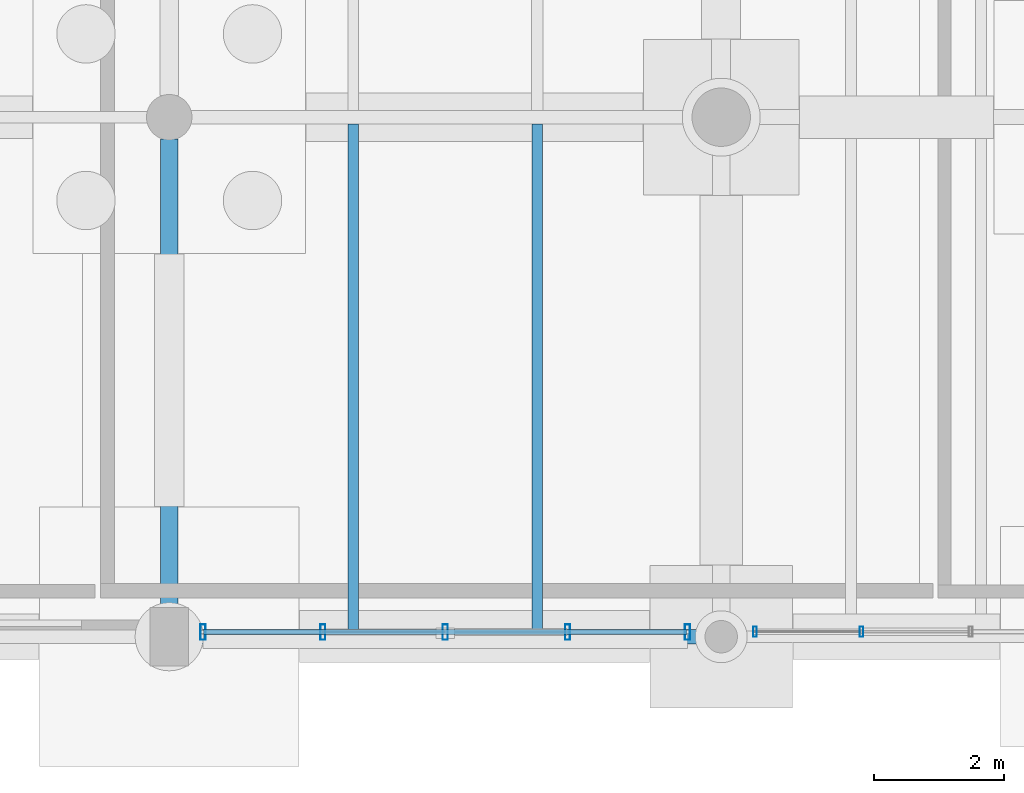
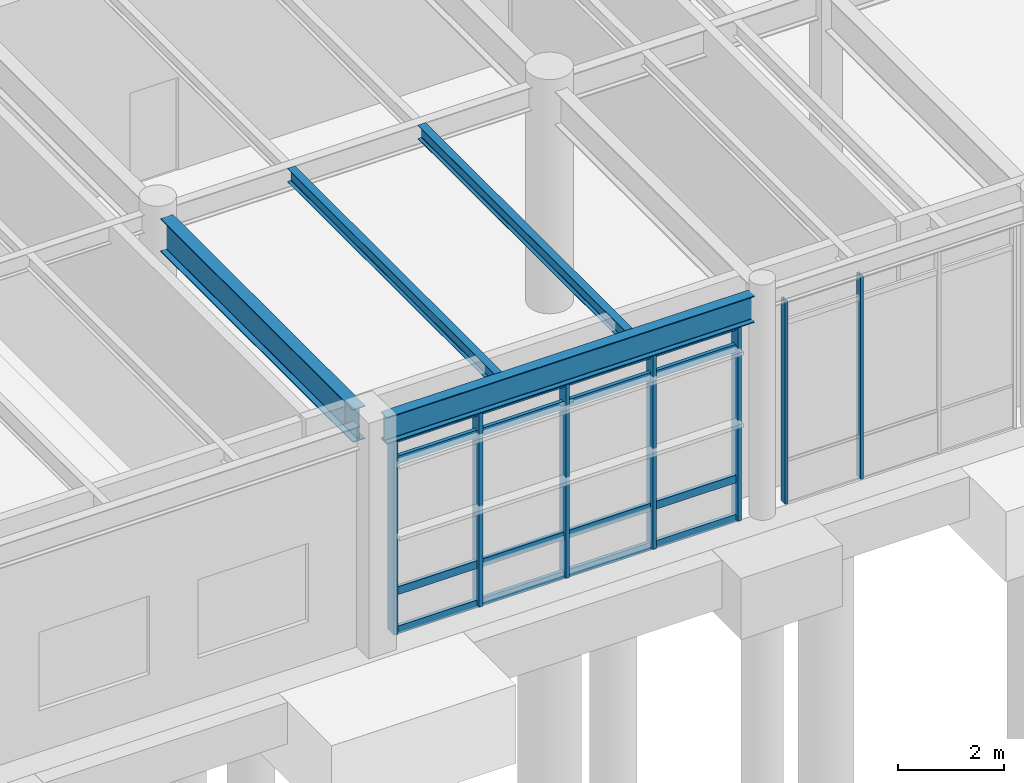
# One storey, part 131 of 203: 11 members, 4 beams, 2 elements without a shape of their own.
"""IFC4 building model written with IfcOpenShell, lengths in metres."""

from ifc_helpers import new_model, si_unit, direction, frame, origin, origin_2d, place, context, subcontext, project, spatial, hollow_rectangle, i_section, extrude, material, material_profile, profile_set, type_object, element, aggregate, save


model = new_model("IFC4")

# Units and contexts
model_context = context("Model", 3, precision=1e-05, world=origin(), true_north=direction((0.0, 1.0)))
body_context = subcontext(model_context, "Body", "Model", "MODEL_VIEW")
ifc_project = project(units=[si_unit("LENGTHUNIT", "METRE"), si_unit("AREAUNIT", "SQUARE_METRE"), si_unit("VOLUMEUNIT", "CUBIC_METRE"), si_unit("PLANEANGLEUNIT", "RADIAN"), si_unit("MASSUNIT", "GRAM", prefix="KILO"), si_unit("THERMODYNAMICTEMPERATUREUNIT", "KELVIN"), si_unit("POWERUNIT", "WATT")], contexts=[model_context])

# Site, building, storey
site_placement = place(None, origin())
site = spatial("IfcSite", under=ifc_project, at=site_placement, CompositionType="ELEMENT")
building_placement = place(site_placement, origin())
building = spatial("IfcBuilding", under=site, at=building_placement, Name="Tepalcoro Natatorium and Aquatics Centre", CompositionType="ELEMENT")
storey_placement = place(building_placement, origin())
storey = spatial("IfcBuildingStorey", under=building, at=storey_placement, Name="L00", CompositionType="ELEMENT", Elevation=0.0)

# Beam
ifc_material_1 = material(Name="Steel ASTM A992 Grade 50 (Fy 345 MPa)", Category="steel")
ifc_material_profile_1 = material_profile(ifc_material_1, i_section(OverallWidth=0.26708984375, OverallDepth=0.761962890625, WebThickness=0.013916015625, FlangeThickness=0.02197265625, FilletRadius=0.013916015625, at=origin_2d()), Name="W30X116")
ifc_profile_set_1 = profile_set([ifc_material_profile_1], Name="Steel ASTM A992 Grade 50 (Fy 345 MPa)")
beam_type_1 = type_object("IfcBeamType", Name="BM_W30x116", PredefinedType="BEAM", material=ifc_profile_set_1)
beam_1_placement = place(storey_placement, frame((150.5, 86.43505859375, 4.743896484375), z_axis=(0.0, 1.0, 0.0), x_axis=(-1.0, 0.0, 0.0)))
element("IfcBeam", 1, at=beam_1_placement, inside=storey, type_object=beam_type_1, Name="V5 L00 Grid Girder Y", PredefinedType="BEAM", context=body_context, shape_type="SweptSolid", body=[
    extrude(i_section(OverallWidth=0.26708984375, OverallDepth=0.761962890625, WebThickness=0.013916015625, FlangeThickness=0.02197265625, FilletRadius=0.013916015625, at=origin_2d()), origin(), (0.0, 0.0, 1.0), 7.22998046875),
])

# Curtain wall, members
ifc_material_2 = material(Name="Bronze-Anodised Extruded Aluminium Alloy EN AW-6063 T6", Category="aluminium")
curtain_wall_type_1 = type_object("IfcCurtainWallType", Name="CW_LEAN_T2_NS", PredefinedType="USERDEFINED", material=ifc_material_2)
curtain_wall_1_placement = place(storey_placement, origin())
curtain_wall_1 = element("IfcCurtainWall", 2, at=curtain_wall_1_placement, inside=storey, type_object=curtain_wall_type_1, Name="V5 L00 S Unitised Curtain Wall Bay 8", ObjectType="FACETED SOLAR GLAZING", PredefinedType="USERDEFINED")
ifc_material_profile_2 = material_profile(ifc_material_2, hollow_rectangle(XDim=0.06005859375, YDim=0.159912109375, WallThickness=0.00390625, at=origin_2d()), Name="AL60X160X4")
ifc_profile_set_2 = profile_set([ifc_material_profile_2], Name="Bronze-Anodised Extruded Aluminium Alloy EN AW-6063 T6")
member_type_1 = type_object("IfcMemberType", Name="CW_MUL_60x160", PredefinedType="MULLION", material=ifc_profile_set_2)
member_1_placement = place(storey_placement, frame((159.52001953125, 86.076171875, 0.02001953125), z_axis=(0.0, 0.0, 1.0), x_axis=(1.0, 0.0, 0.0)))
member_1 = element("IfcMember", 3, at=member_1_placement, type_object=member_type_1, Name="CW_LEAN_T2_NS Curtain Wall Mullion", PredefinedType="MULLION", context=body_context, shape_type="SweptSolid", body=[
    extrude(hollow_rectangle(XDim=0.06005859375, YDim=0.159912109375, WallThickness=0.00390625, at=origin_2d()), origin(), (0.0, 0.0, 1.0), 4.656982421875),
])
member_2_placement = place(storey_placement, frame((161.159912109375, 86.076171875, 0.02001953125), z_axis=(0.0, 0.0, 1.0), x_axis=(1.0, 0.0, 0.0)))
member_2 = element("IfcMember", 4, at=member_2_placement, type_object=member_type_1, Name="CW_LEAN_T2_NS Curtain Wall Mullion", PredefinedType="MULLION", context=body_context, shape_type="SweptSolid", body=[
    extrude(hollow_rectangle(XDim=0.06005859375, YDim=0.159912109375, WallThickness=0.00390625, at=origin_2d()), origin(), (0.0, 0.0, 1.0), 4.656982421875),
])
aggregate(curtain_wall_1, [member_1, member_2])

curtain_wall_type_2 = type_object("IfcCurtainWallType", Name="CW_LEAN_T1_EW", PredefinedType="USERDEFINED", material=ifc_material_2)
curtain_wall_2_placement = place(storey_placement, origin())
curtain_wall_2 = element("IfcCurtainWall", 5, at=curtain_wall_2_placement, inside=storey, type_object=curtain_wall_type_2, Name="V5 L00 S Unitised Curtain Wall Bay 7", ObjectType="FACETED SOLAR GLAZING", PredefinedType="USERDEFINED")
ifc_material_profile_3 = material_profile(ifc_material_2, hollow_rectangle(XDim=0.080078125, YDim=0.239990234375, WallThickness=0.0048828125, at=origin_2d()), Name="AL80X240X5")
ifc_profile_set_3 = profile_set([ifc_material_profile_3], Name="Bronze-Anodised Extruded Aluminium Alloy EN AW-6063 T6")
member_type_2 = type_object("IfcMemberType", Name="CW_MUL_80x240", PredefinedType="MULLION", material=ifc_profile_set_3)
member_3_placement = place(storey_placement, frame((151.02001953125, 86.0712890625, 0.02001953125), z_axis=(0.0, 0.0, 1.0), x_axis=(1.0, 0.0, 0.0)))
member_3 = element("IfcMember", 6, at=member_3_placement, type_object=member_type_2, Name="CW_LEAN_T1_EW Curtain Wall Mullion", PredefinedType="MULLION", context=body_context, shape_type="SweptSolid", body=[
    extrude(hollow_rectangle(XDim=0.080078125, YDim=0.239990234375, WallThickness=0.0048828125, at=origin_2d()), origin(), (0.0, 0.0, 1.0), 4.4580078125),
])
member_4_placement = place(storey_placement, frame((152.864990234375, 86.0712890625, 0.02001953125), z_axis=(0.0, 0.0, 1.0), x_axis=(1.0, 0.0, 0.0)))
member_4 = element("IfcMember", 7, at=member_4_placement, type_object=member_type_2, Name="CW_LEAN_T1_EW Curtain Wall Mullion", PredefinedType="MULLION", context=body_context, shape_type="SweptSolid", body=[
    extrude(hollow_rectangle(XDim=0.080078125, YDim=0.239990234375, WallThickness=0.0048828125, at=origin_2d()), origin(), (0.0, 0.0, 1.0), 4.4580078125),
])
member_5_placement = place(storey_placement, frame((154.75, 86.0712890625, 0.02001953125), z_axis=(0.0, 0.0, 1.0), x_axis=(1.0, 0.0, 0.0)))
member_5 = element("IfcMember", 8, at=member_5_placement, type_object=member_type_2, Name="CW_LEAN_T1_EW Curtain Wall Mullion", PredefinedType="MULLION", context=body_context, shape_type="SweptSolid", body=[
    extrude(hollow_rectangle(XDim=0.080078125, YDim=0.239990234375, WallThickness=0.0048828125, at=origin_2d()), origin(), (0.0, 0.0, 1.0), 4.4580078125),
])
member_6_placement = place(storey_placement, frame((156.635009765625, 86.0712890625, 0.02001953125), z_axis=(0.0, 0.0, 1.0), x_axis=(1.0, 0.0, 0.0)))
member_6 = element("IfcMember", 9, at=member_6_placement, type_object=member_type_2, Name="CW_LEAN_T1_EW Curtain Wall Mullion", PredefinedType="MULLION", context=body_context, shape_type="SweptSolid", body=[
    extrude(hollow_rectangle(XDim=0.080078125, YDim=0.239990234375, WallThickness=0.0048828125, at=origin_2d()), origin(), (0.0, 0.0, 1.0), 4.4580078125),
])
member_7_placement = place(storey_placement, frame((158.47998046875, 86.0712890625, 0.02001953125), z_axis=(0.0, 0.0, 1.0), x_axis=(1.0, 0.0, 0.0)))
member_7 = element("IfcMember", 10, at=member_7_placement, type_object=member_type_2, Name="CW_LEAN_T1_EW Curtain Wall Mullion", PredefinedType="MULLION", context=body_context, shape_type="SweptSolid", body=[
    extrude(hollow_rectangle(XDim=0.080078125, YDim=0.239990234375, WallThickness=0.0048828125, at=origin_2d()), origin(), (0.0, 0.0, 1.0), 4.4580078125),
])
ifc_material_profile_4 = material_profile(ifc_material_2, hollow_rectangle(XDim=0.080078125, YDim=0.179931640625, WallThickness=0.0048828125, at=origin_2d()), Name="AL80X180X5")
ifc_profile_set_4 = profile_set([ifc_material_profile_4], Name="Bronze-Anodised Extruded Aluminium Alloy EN AW-6063 T6")
member_type_3 = type_object("IfcMemberType", Name="CW_TRN_80x180", PredefinedType="USERDEFINED", material=ifc_profile_set_4)
member_8_placement = place(storey_placement, frame((151.030029296875, 86.0712890625, 0.050048828125), z_axis=(1.0, 0.0, 0.0), x_axis=(0.0, 1.0, 0.0)))
member_8 = element("IfcMember", 11, at=member_8_placement, type_object=member_type_3, Name="CW_LEAN_T1_EW Curtain Wall Transom", ObjectType="TRANSOM", PredefinedType="USERDEFINED", context=body_context, shape_type="SweptSolid", body=[
    extrude(hollow_rectangle(XDim=0.080078125, YDim=0.179931640625, WallThickness=0.0048828125, at=origin_2d()), origin(), (0.0, 0.0, 1.0), 7.43994140625),
])
member_9_placement = place(storey_placement, frame((151.030029296875, 86.0712890625, 0.949951171875), z_axis=(1.0, 0.0, 0.0), x_axis=(0.0, 1.0, 0.0)))
member_9 = element("IfcMember", 12, at=member_9_placement, type_object=member_type_3, Name="CW_LEAN_T1_EW Curtain Wall Transom", ObjectType="TRANSOM", PredefinedType="USERDEFINED", context=body_context, shape_type="SweptSolid", body=[
    extrude(hollow_rectangle(XDim=0.080078125, YDim=0.179931640625, WallThickness=0.0048828125, at=origin_2d()), origin(), (0.0, 0.0, 1.0), 7.43994140625),
])
member_10_placement = place(storey_placement, frame((151.030029296875, 86.0712890625, 3.947998046875), z_axis=(1.0, 0.0, 0.0), x_axis=(0.0, 1.0, 0.0)))
member_10 = element("IfcMember", 13, at=member_10_placement, type_object=member_type_3, Name="CW_LEAN_T1_EW Curtain Wall Transom", ObjectType="TRANSOM", PredefinedType="USERDEFINED", context=body_context, shape_type="SweptSolid", body=[
    extrude(hollow_rectangle(XDim=0.080078125, YDim=0.179931640625, WallThickness=0.0048828125, at=origin_2d()), origin(), (0.0, 0.0, 1.0), 7.43994140625),
])
member_11_placement = place(storey_placement, frame((151.030029296875, 86.0712890625, 4.447998046875), z_axis=(1.0, 0.0, 0.0), x_axis=(0.0, 1.0, 0.0)))
member_11 = element("IfcMember", 14, at=member_11_placement, type_object=member_type_3, Name="CW_LEAN_T1_EW Curtain Wall Transom", ObjectType="TRANSOM", PredefinedType="USERDEFINED", context=body_context, shape_type="SweptSolid", body=[
    extrude(hollow_rectangle(XDim=0.080078125, YDim=0.179931640625, WallThickness=0.0048828125, at=origin_2d()), origin(), (0.0, 0.0, 1.0), 7.43994140625),
])
aggregate(curtain_wall_2, [member_3, member_4, member_5, member_6, member_7, member_8, member_9, member_10, member_11])

# Beams
ifc_material_profile_5 = material_profile(ifc_material_1, i_section(OverallWidth=0.1650390625, OverallDepth=0.31005859375, WebThickness=0.006103515625, FlangeThickness=0.010009765625, FilletRadius=0.013916015625, at=origin_2d()), Name="W12X26")
ifc_profile_set_5 = profile_set([ifc_material_profile_5], Name="Steel ASTM A992 Grade 50 (Fy 345 MPa)")
beam_type_2 = type_object("IfcBeamType", Name="JS_W12x26", PredefinedType="JOIST", material=ifc_profile_set_5)
beam_2_placement = place(storey_placement, frame((153.333251953125, 86.114501953125, 4.969970703125), z_axis=(0.0, 1.0, 0.0), x_axis=(-1.0, 0.0, 0.0)))
element("IfcBeam", 15, at=beam_2_placement, inside=storey, type_object=beam_type_2, Name="V5 L00 Floor Joist", PredefinedType="JOIST", context=body_context, shape_type="SweptSolid", body=[
    extrude(i_section(OverallWidth=0.1650390625, OverallDepth=0.31005859375, WebThickness=0.006103515625, FlangeThickness=0.010009765625, FilletRadius=0.013916015625, at=origin_2d()), origin(), (0.0, 0.0, 1.0), 7.780517578125),
])
ifc_material_profile_6 = material_profile(ifc_material_1, i_section(OverallWidth=0.1669921875, OverallDepth=0.318115234375, WebThickness=0.008056640625, FlangeThickness=0.012939453125, FilletRadius=0.013916015625, at=origin_2d()), Name="W12X35")
ifc_profile_set_6 = profile_set([ifc_material_profile_6], Name="Steel ASTM A992 Grade 50 (Fy 345 MPa)")
beam_type_3 = type_object("IfcBeamType", Name="JS_W12x35", PredefinedType="JOIST", material=ifc_profile_set_6)
beam_3_placement = place(storey_placement, frame((156.166748046875, 86.114501953125, 4.966064453125), z_axis=(0.0, 1.0, 0.0), x_axis=(-1.0, 0.0, 0.0)))
element("IfcBeam", 16, at=beam_3_placement, inside=storey, type_object=beam_type_3, Name="V5 L00 Floor Joist", PredefinedType="JOIST", context=body_context, shape_type="SweptSolid", body=[
    extrude(i_section(OverallWidth=0.1669921875, OverallDepth=0.318115234375, WebThickness=0.008056640625, FlangeThickness=0.012939453125, FilletRadius=0.013916015625, at=origin_2d()), origin(), (0.0, 0.0, 1.0), 7.780517578125),
])
ifc_material_profile_7 = material_profile(ifc_material_1, i_section(OverallWidth=0.22900390625, OverallDepth=0.612060546875, WebThickness=0.011962890625, FlangeThickness=0.02001953125, FilletRadius=0.013916015625, at=origin_2d()), Name="W24X84")
ifc_profile_set_7 = profile_set([ifc_material_profile_7], Name="Steel ASTM A992 Grade 50 (Fy 345 MPa)")
beam_type_4 = type_object("IfcBeamType", Name="SP_W24x84", PredefinedType="SPANDREL", material=ifc_profile_set_7)
beam_4_placement = place(storey_placement, frame((150.784912109375, 86.0, 4.819091796875), z_axis=(1.0, 0.0, 0.0), x_axis=(0.0, 1.0, 0.0)))
element("IfcBeam", 17, at=beam_4_placement, inside=storey, type_object=beam_type_4, Name="V5 L00 Grid Girder X", PredefinedType="SPANDREL", context=body_context, shape_type="SweptSolid", body=[
    extrude(i_section(OverallWidth=0.22900390625, OverallDepth=0.612060546875, WebThickness=0.011962890625, FlangeThickness=0.02001953125, FilletRadius=0.013916015625, at=origin_2d()), origin(), (0.0, 0.0, 1.0), 7.97998046875),
])

save(model, "model.ifc")
